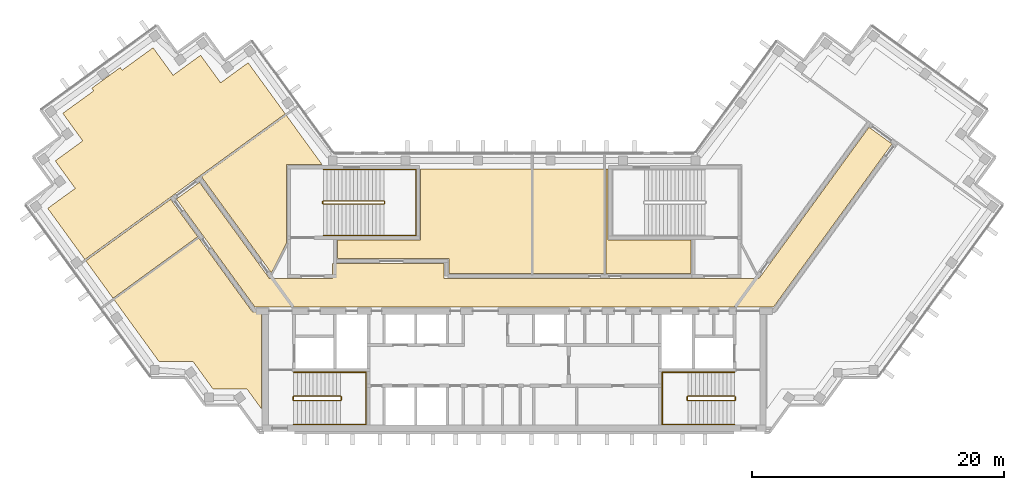
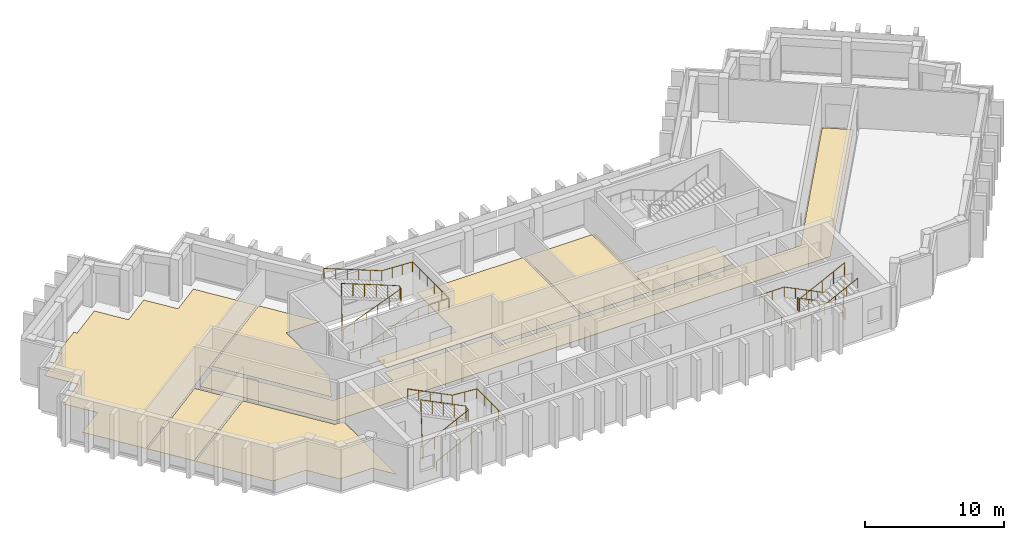
# One storey, part 7 of 8: 8 coverings, 6 railings.
"""IFC4 building model written with IfcOpenShell, lengths in metres."""

import ifcopenshell
import ifcopenshell.guid

model = None  # the IFC model being written
_history = None  # IfcOwnerHistory: only IFC2X3 demands one
_inside = {}  # id of a spatial element -> (the spatial element, [elements in it])
_under = {}  # id of a project, library or spatial element -> (it, [spatial elements below it])
_declared = {}  # id of a project -> (the project, [libraries it declares])
_typed = {}  # id of a type object -> (the type object, [elements of that type])
_made_of = {}  # id of a material, layer set ... -> (it, [elements and type objects made of it])


def new_model(schema):
    """Start an empty IFC model of exactly this schema.

    Asked for "IFC4X3", IfcOpenShell would pick the latest addendum, in which some entities
    have other attributes; the version numbers below select the first issue.
    IFC2X3 requires an IfcOwnerHistory on every rooted entity: one is made here for all.
    """
    global model, _history
    if schema == "IFC4X3":
        model = ifcopenshell.file(schema_version=(4, 3, 0, 0))
    else:
        model = ifcopenshell.file(schema=schema)
    _inside.clear()
    _under.clear()
    _declared.clear()
    _typed.clear()
    _made_of.clear()
    _history = None
    if model.schema == "IFC2X3":
        org = make("IfcOrganization", Name="unknown")
        user = make(
            "IfcPersonAndOrganization",
            ThePerson=make("IfcPerson", FamilyName="unknown"),
            TheOrganization=org,
        )
        app = make(
            "IfcApplication",
            ApplicationDeveloper=org,
            Version="unknown",
            ApplicationFullName="unknown",
            ApplicationIdentifier="unknown",
        )
        _history = make(
            "IfcOwnerHistory",
            OwningUser=user,
            OwningApplication=app,
            ChangeAction="ADDED",
            CreationDate=0,
        )
    return model


def make(cls, **values):
    """One entity of the class cls with the attributes given. An attribute that is None is left unset."""
    return model.create_entity(
        cls, **{name: value for name, value in values.items() if value is not None}
    )


def rooted(cls, **values):
    """An entity with a GlobalId (a new one), such as an element, a storey or a relation."""
    return make(cls, GlobalId=ifcopenshell.guid.new(), OwnerHistory=_history, **values)


def si_unit(unit_type, name, prefix=None):
    """IfcSIUnit, for example si_unit("LENGTHUNIT", "METRE", prefix="MILLI")."""
    return make("IfcSIUnit", UnitType=unit_type, Prefix=prefix, Name=name)


def assignment(units):
    """IfcUnitAssignment: the units of a project."""
    return None if units is None else make("IfcUnitAssignment", Units=units)


def point(xyz):
    """IfcCartesianPoint."""
    return None if xyz is None else make("IfcCartesianPoint", Coordinates=xyz)


def direction(xyz):
    """IfcDirection."""
    return None if xyz is None else make("IfcDirection", DirectionRatios=xyz)


def frame(location, z_axis=None, x_axis=None):
    """IfcAxis2Placement3D, a coordinate frame: its origin and axes. An axis left out is left unset."""
    return make(
        "IfcAxis2Placement3D",
        Location=point(location),
        Axis=direction(z_axis),
        RefDirection=direction(x_axis),
    )


def frame_2d(location, x_axis=None):
    """IfcAxis2Placement2D, a coordinate frame in the plane: its origin and x axis."""
    return make(
        "IfcAxis2Placement2D", Location=point(location), RefDirection=direction(x_axis)
    )


def origin():
    """The frame at (0, 0, 0) with its axes left unset."""
    return frame((0.0, 0.0, 0.0))


def origin_2d():
    """The frame at (0, 0) in the plane with its x axis left unset."""
    return frame_2d((0.0, 0.0))


def place(relative_to, where):
    """IfcLocalPlacement: puts the frame where relative to a parent placement (None: the world)."""
    return make(
        "IfcLocalPlacement", PlacementRelTo=relative_to, RelativePlacement=where
    )


def context(
    kind, dimensions, precision=None, world=None, true_north=None, identifier=None
):
    """IfcGeometricRepresentationContext, for example the 3D "Model" context."""
    return make(
        "IfcGeometricRepresentationContext",
        ContextIdentifier=identifier,
        ContextType=kind,
        CoordinateSpaceDimension=dimensions,
        Precision=precision,
        WorldCoordinateSystem=world,
        TrueNorth=true_north,
    )


def subcontext(parent, identifier, kind, view, scale=None):
    """IfcGeometricRepresentationSubContext, for example "Body" below "Model"."""
    return make(
        "IfcGeometricRepresentationSubContext",
        ContextIdentifier=identifier,
        ContextType=kind,
        ParentContext=parent,
        TargetScale=scale,
        TargetView=view,
    )


def project(units=None, contexts=None):
    """IfcProject with its units and contexts."""
    return rooted(
        "IfcProject",
        Name="project",
        RepresentationContexts=contexts,
        UnitsInContext=assignment(units),
    )


def spatial(cls, under=None, at=None, **own):
    """A site, building, storey or space (cls), placed at a placement, below another one or the project."""
    s = rooted(cls, ObjectPlacement=at, **own)
    if under is not None:
        _under.setdefault(under.id(), (under, []))[1].append(s)
    return s


def polyline(points):
    """IfcPolyline through the points."""
    return make("IfcPolyline", Points=[point(p) for p in points])


def profile(cls, at=None, kind="AREA", **sizes):
    """A parametric profile (cls). Its sizes go by their IFC names, for example OverallWidth=200.0."""
    return make(cls, ProfileType=kind, Position=at, **sizes)


def circle(**sizes):
    """IfcCircleProfileDef."""
    return profile("IfcCircleProfileDef", **sizes)


def outline(outer, holes=None, kind="AREA"):
    """IfcArbitraryClosedProfileDef: a profile drawn as a closed curve; with holes, ...WithVoids."""
    if holes is None:
        return make("IfcArbitraryClosedProfileDef", ProfileType=kind, OuterCurve=outer)
    return make(
        "IfcArbitraryProfileDefWithVoids",
        ProfileType=kind,
        OuterCurve=outer,
        InnerCurves=holes,
    )


def extrude(swept, where, along, depth):
    """IfcExtrudedAreaSolid: the profile swept, set in the frame where, extruded along a direction by depth."""
    return make(
        "IfcExtrudedAreaSolid",
        SweptArea=swept,
        Position=where,
        ExtrudedDirection=direction(along),
        Depth=depth,
    )


def shape(context_of_items, identifier, shape_type, items):
    """IfcShapeRepresentation: the items that make up one representation, for example the "Body"."""
    return make(
        "IfcShapeRepresentation",
        ContextOfItems=context_of_items,
        RepresentationIdentifier=identifier,
        RepresentationType=shape_type,
        Items=items,
    )


def material(Name=None, Category=None):
    """IfcMaterial."""
    return make("IfcMaterial", Name=Name, Category=Category)


def layer(
    of_material, thickness, ventilated=None, Name=None, Category=None, Priority=None
):
    """IfcMaterialLayer: one layer of a wall or slab, of a material (None: an air gap)."""
    return make(
        "IfcMaterialLayer",
        Material=of_material,
        LayerThickness=thickness,
        IsVentilated=ventilated,
        Name=Name,
        Category=Category,
        Priority=Priority,
    )


def layer_set(layers, Name=None):
    """IfcMaterialLayerSet."""
    return make("IfcMaterialLayerSet", MaterialLayers=layers, LayerSetName=Name)


def made_of(thing, what):
    """Note that an element or type object is made of a material, layer set ...; save() writes the relation."""
    if what is not None:
        _made_of.setdefault(what.id(), (what, []))[1].append(thing)
    return thing


def type_object(cls, material=None, **own):
    """A type object (cls), such as IfcWallType, which elements share."""
    return made_of(rooted(cls, **own), material)


def element(
    cls,
    number,
    at=None,
    inside=None,
    cuts=None,
    type_object=None,
    material=None,
    context=None,
    identifier="Body",
    shape_type=None,
    held_by="IfcProductDefinitionShape",
    body=None,
    shapes=None,
    **own,
):
    """One element of the class cls, such as IfcWall. Its Tag is "e" and its number.

    at: its placement. inside: the storey or other place that contains it. cuts: it is an
    opening in that element (IfcRelVoidsElement). A single representation is given by context,
    identifier, shape_type and body (its items); several are given by shapes. held_by: the class
    of the entity that holds the representations. save() writes the other relations.
    """
    e = rooted(cls, Tag="e%d" % number, ObjectPlacement=at, **own)
    if body is not None:
        shapes = [shape(context, identifier, shape_type, body)]
    if shapes is not None:
        e.Representation = make(held_by, Representations=shapes)
    if inside is not None:
        _inside.setdefault(inside.id(), (inside, []))[1].append(e)
    if cuts is not None:
        rooted(
            "IfcRelVoidsElement", RelatingBuildingElement=cuts, RelatedOpeningElement=e
        )
    if type_object is not None:
        _typed.setdefault(type_object.id(), (type_object, []))[1].append(e)
    return made_of(e, material)


def aggregate(whole, parts):
    """IfcRelAggregates: a whole, such as a stair, and the parts it consists of."""
    return rooted("IfcRelAggregates", RelatingObject=whole, RelatedObjects=parts)


def save(model, path):
    """Write the relations noted so far, then the file.

    IfcRelAggregates (storeys below a building ...), IfcRelContainedInSpatialStructure (elements
    in a storey), IfcRelDefinesByType, IfcRelAssociatesMaterial and IfcRelDeclares: one each for
    every whole, place, type object, material and project.
    """
    for whole, parts in _under.values():
        aggregate(whole, parts)
    for where, things in _inside.values():
        rooted(
            "IfcRelContainedInSpatialStructure",
            RelatedElements=things,
            RelatingStructure=where,
        )
    for kind, things in _typed.values():
        rooted("IfcRelDefinesByType", RelatedObjects=things, RelatingType=kind)
    for what, things in _made_of.values():
        rooted("IfcRelAssociatesMaterial", RelatedObjects=things, RelatingMaterial=what)
    for by, libraries in _declared.values():
        rooted("IfcRelDeclares", RelatingContext=by, RelatedDefinitions=libraries)
    model.write(path)


model = new_model("IFC4")

# Units and contexts
model_context = context("Model", 3, precision=1e-05, world=origin(), true_north=direction((0.0, 1.0)))
body_context = subcontext(model_context, "Body", "Model", "MODEL_VIEW")
ifc_project = project(units=[si_unit("LENGTHUNIT", "METRE"), si_unit("AREAUNIT", "SQUARE_METRE"), si_unit("VOLUMEUNIT", "CUBIC_METRE"), si_unit("PLANEANGLEUNIT", "RADIAN"), si_unit("MASSUNIT", "GRAM", prefix="KILO")], contexts=[model_context])

# Site, building, storey
site_placement = place(None, origin())
site = spatial("IfcSite", under=ifc_project, at=site_placement, CompositionType="ELEMENT")
building_placement = place(site_placement, origin())
building = spatial("IfcBuilding", under=site, at=building_placement, Name="Quipu Civic Tower", CompositionType="ELEMENT")
storey_placement = place(building_placement, frame((0.0, 0.0, 289.0)))
storey = spatial("IfcBuildingStorey", under=building, at=storey_placement, Name="L67", CompositionType="ELEMENT", Elevation=289.0)

# Coverings
ifc_material_1 = material(Name="Carpet tile on raised access floor")
ifc_layer_1 = layer(ifc_material_1, 0.02001953125)
ifc_layer_set_1 = layer_set([ifc_layer_1], Name="Carpet tile on raised access floor")
covering_type_1 = type_object("IfcCoveringType", Name="Carpet tile floor finish 20", PredefinedType="FLOORING", material=ifc_layer_set_1)
covering_1_placement = place(storey_placement, origin())
element("IfcCovering", 1, at=covering_1_placement, inside=storey, type_object=covering_type_1, Name="Carpet tile floor finish 20", PredefinedType="FLOORING", context=body_context, shape_type="SweptSolid", body=[
    extrude(outline(polyline([(-24.81201171875, 9.2109375), (-18.089111328125, 14.093994140625), (-15.238037109375, 10.169921875), (-18.070068359375, 10.1689453125), (-18.070068359375, 3.94189453125), (-19.27197265625, 1.583984375), (-24.81201171875, 9.2109375)])), origin(), (0.0, 0.0, 1.0), 0.02001953125),
])
covering_2_placement = place(storey_placement, origin())
element("IfcCovering", 2, at=covering_2_placement, inside=storey, type_object=covering_type_1, Name="Carpet tile floor finish 20", PredefinedType="FLOORING", context=body_context, shape_type="SweptSolid", body=[
    extrude(outline(polyline([(-31.758056640625, -0.5390625), (-25.034912109375, 4.344970703125), (-20.77490234375, -1.51904296875), (-20.070068359375, -1.52001953125), (-20.070068359375, -9.195068359375), (-21.196044921875, -7.64599609375), (-23.89501953125, -7.64599609375), (-25.48193359375, -5.4619140625), (-28.181884765625, -5.4609375), (-31.758056640625, -0.5390625)])), origin(), (0.0, 0.0, 1.0), 0.02001953125),
])
covering_3_placement = place(storey_placement, origin())
element("IfcCovering", 3, at=covering_3_placement, inside=storey, type_object=covering_type_1, Name="Carpet tile floor finish 20", PredefinedType="FLOORING", context=body_context, shape_type="SweptSolid", body=[
    extrude(outline(polyline([(-14.030029296875, 2.719970703125), (-14.030029296875, 4.179931640625), (-7.430908203125, 4.180908203125), (-7.429931640625, 9.830078125), (1.368896484375, 9.830078125), (1.368896484375, 1.52001953125), (-5.179931640625, 1.52001953125), (-5.181884765625, 2.719970703125), (-14.030029296875, 2.719970703125)])), origin(), (0.0, 0.0, 1.0), 0.02001953125),
])
covering_4_placement = place(storey_placement, origin())
element("IfcCovering", 4, at=covering_4_placement, inside=storey, type_object=covering_type_1, Name="Carpet tile floor finish 20", PredefinedType="FLOORING", context=body_context, shape_type="SweptSolid", body=[
    extrude(outline(polyline([(-37.02197265625, 6.7060546875), (-34.839111328125, 8.291015625), (-36.425048828125, 10.47607421875), (-34.240966796875, 12.06396484375), (-35.826904296875, 14.248046875), (-33.3701171875, 16.032958984375), (-33.52197265625, 16.2451171875), (-31.27099609375, 17.8798828125), (-31.116943359375, 17.6708984375), (-28.658935546875, 19.455078125), (-27.073974609375, 17.27197265625), (-24.887939453125, 18.85791015625), (-23.301025390625, 16.675048828125), (-21.116943359375, 18.260986328125), (-18.172119140625, 14.20703125), (-34.077880859375, 2.652099609375), (-37.02197265625, 6.7060546875)])), origin(), (0.0, 0.0, 1.0), 0.02001953125),
])
ifc_material_2 = material(Name="Ceramic floor tile")
ifc_layer_2 = layer(ifc_material_2, 0.030029296875)
ifc_layer_set_2 = layer_set([ifc_layer_2], Name="Ceramic floor tile")
covering_type_2 = type_object("IfcCoveringType", Name="Ceramic tile floor finish 30", PredefinedType="FLOORING", material=ifc_layer_set_2)
covering_5_placement = place(storey_placement, origin())
element("IfcCovering", 5, at=covering_5_placement, inside=storey, type_object=covering_type_2, Name="Ceramic tile floor finish 30", PredefinedType="FLOORING", context=body_context, shape_type="SweptSolid", body=[
    extrude(outline(polyline([(1.510009765625, 9.830078125), (7.1279296875, 9.830078125), (7.1279296875, 1.52001953125), (1.510009765625, 1.52001953125), (1.510009765625, 9.830078125)])), origin(), (0.0, 0.0, 1.0), 0.030029296875),
])
covering_6_placement = place(storey_placement, origin())
element("IfcCovering", 6, at=covering_6_placement, inside=storey, type_object=covering_type_2, Name="Ceramic tile floor finish 30", PredefinedType="FLOORING", context=body_context, shape_type="SweptSolid", body=[
    extrude(outline(polyline([(7.26806640625, 1.52001953125), (7.26806640625, 9.830078125), (7.429931640625, 9.830078125), (7.429931640625, 4.180908203125), (14.030029296875, 4.179931640625), (14.030029296875, 1.52001953125), (7.26806640625, 1.52001953125)])), origin(), (0.0, 0.0, 1.0), 0.030029296875),
])
covering_7_placement = place(storey_placement, origin())
element("IfcCovering", 7, at=covering_7_placement, inside=storey, type_object=covering_type_2, Name="Ceramic tile floor finish 30", PredefinedType="FLOORING", context=body_context, shape_type="SweptSolid", body=[
    extrude(outline(polyline([(-33.9951171875, 2.5390625), (-27.27197265625, 7.423095703125), (-25.117919921875, 4.4580078125), (-31.841064453125, -0.426025390625), (-33.9951171875, 2.5390625)])), origin(), (0.0, 0.0, 1.0), 0.030029296875),
])

# Railings
ifc_material_3 = material(Name="Stainless steel", Category="steel")
railing_type_1 = type_object("IfcRailingType", Name="Stair guard 1100", PredefinedType="GUARDRAIL", material=ifc_material_3)
railing_1_placement = place(storey_placement, frame((-17.5, -8.550048828125, 0.15380859375)))
element("IfcRailing", 8, at=railing_1_placement, inside=storey, type_object=railing_type_1, Name="Stair 1 guard", PredefinedType="GUARDRAIL", context=body_context, shape_type="SweptSolid", body=[
    extrude(circle(Radius=0.02392578125, at=origin_2d()), frame((0.0, 0.0, 1.076171875), z_axis=(0.895751851347, 0.0, 0.444554407028), x_axis=(0.0, 1.0, 0.0)), (0.0, 0.0, 1.0), 4.15283203125),
    extrude(circle(Radius=0.02392578125, at=origin_2d()), frame((3.719970703125, 0.0, 2.92236328125), z_axis=(0.707106781187, 0.707106781187, 0.0), x_axis=(-0.707106781187, 0.707106781187, 0.0)), (0.0, 0.0, 1.0), 0.07080078125),
    extrude(circle(Radius=0.02392578125, at=origin_2d()), frame((3.77001953125, 0.050048828125, 2.92236328125), z_axis=(0.0, 1.0, 0.0), x_axis=(-1.0, 0.0, 0.0)), (0.0, 0.0, 1.0), 0.25),
    extrude(circle(Radius=0.02392578125, at=origin_2d()), frame((3.77001953125, 0.300048828125, 2.92236328125), z_axis=(-0.295599637079, 0.295599637079, 0.908428152975), x_axis=(-0.707106781187, -0.707106781187, 0.0)), (0.0, 0.0, 1.0), 0.16943359375),
    extrude(circle(Radius=0.02392578125, at=origin_2d()), frame((3.719970703125, 0.35009765625, 3.076171875), z_axis=(-0.895751851347, 0.0, 0.444554407028), x_axis=(0.0, -1.0, 0.0)), (0.0, 0.0, 1.0), 4.15283203125),
    extrude(circle(Radius=0.02392578125, at=origin_2d()), frame((0.0, 0.35009765625, 4.92236328125), z_axis=(-0.012476181752, -0.074796231092, -0.997120789425), x_axis=(0.986372223864, -0.164529134168, 0.0)), (0.0, 0.0, 1.0), 4.011474609375),
    extrude(circle(Radius=0.02392578125, at=origin_2d()), frame((-0.050048828125, 0.050048828125, 0.92236328125), z_axis=(0.0, 1.0, 0.0), x_axis=(-1.0, 0.0, 0.0)), (0.0, 0.0, 1.0), 0.25),
    extrude(circle(Radius=0.02099609375, at=origin_2d()), origin(), (0.0, 0.0, 1.0), 1.052001953125),
    extrude(circle(Radius=0.02099609375, at=origin_2d()), frame((0.929931640625, 0.0, 0.46142578125)), (0.0, 0.0, 1.0), 1.052001953125),
    extrude(circle(Radius=0.02099609375, at=origin_2d()), frame((1.85986328125, 0.0, 0.923095703125)), (0.0, 0.0, 1.0), 1.052001953125),
    extrude(circle(Radius=0.02099609375, at=origin_2d()), frame((2.7900390625, 0.0, 1.384765625)), (0.0, 0.0, 1.0), 1.052001953125),
    extrude(circle(Radius=0.02099609375, at=origin_2d()), frame((3.719970703125, 0.0, 1.84619140625)), (0.0, 0.0, 1.0), 1.052001953125),
    extrude(circle(Radius=0.02099609375, at=origin_2d()), frame((3.77001953125, 0.050048828125, 1.84619140625)), (0.0, 0.0, 1.0), 1.052001953125),
    extrude(circle(Radius=0.02099609375, at=origin_2d()), frame((3.77001953125, 0.300048828125, 1.84619140625)), (0.0, 0.0, 1.0), 1.052001953125),
    extrude(circle(Radius=0.02099609375, at=origin_2d()), frame((3.719970703125, 0.35009765625, 2.0)), (0.0, 0.0, 1.0), 1.052001953125),
    extrude(circle(Radius=0.02099609375, at=origin_2d()), frame((2.7900390625, 0.35009765625, 2.46142578125)), (0.0, 0.0, 1.0), 1.052001953125),
    extrude(circle(Radius=0.02099609375, at=origin_2d()), frame((1.85986328125, 0.35009765625, 2.923095703125)), (0.0, 0.0, 1.0), 1.052001953125),
    extrude(circle(Radius=0.02099609375, at=origin_2d()), frame((0.929931640625, 0.35009765625, 3.384765625)), (0.0, 0.0, 1.0), 1.052001953125),
    extrude(circle(Radius=0.02099609375, at=origin_2d()), frame((0.0, 0.35009765625, 3.84619140625)), (0.0, 0.0, 1.0), 1.052001953125),
    extrude(circle(Radius=0.02099609375, at=origin_2d()), frame((-0.012451171875, 0.275146484375, 2.84619140625)), (0.0, 0.0, 1.0), 1.052001953125),
    extrude(circle(Radius=0.02099609375, at=origin_2d()), frame((-0.02490234375, 0.2001953125, 1.84619140625)), (0.0, 0.0, 1.0), 1.052001953125),
    extrude(circle(Radius=0.02099609375, at=origin_2d()), frame((-0.03759765625, 0.125, 0.84619140625)), (0.0, 0.0, 1.0), 1.052001953125),
    extrude(circle(Radius=0.02099609375, at=origin_2d()), frame((-0.050048828125, 0.050048828125, -0.15380859375)), (0.0, 0.0, 1.0), 1.052001953125),
    extrude(circle(Radius=0.02099609375, at=origin_2d()), frame((-0.050048828125, 0.300048828125, -0.15380859375)), (0.0, 0.0, 1.0), 1.052001953125),
])
railing_2_placement = place(storey_placement, frame((17.5, -8.199951171875, 0.15380859375)))
element("IfcRailing", 9, at=railing_2_placement, inside=storey, type_object=railing_type_1, Name="Stair 2 guard", PredefinedType="GUARDRAIL", context=body_context, shape_type="SweptSolid", body=[
    extrude(circle(Radius=0.02392578125, at=origin_2d()), frame((0.0, 0.0, 1.076171875), z_axis=(-0.895751851347, 0.0, 0.444554407028), x_axis=(0.0, -1.0, 0.0)), (0.0, 0.0, 1.0), 4.15283203125),
    extrude(circle(Radius=0.02392578125, at=origin_2d()), frame((-3.719970703125, 0.0, 2.92236328125), z_axis=(-0.707106781187, -0.707106781187, 0.0), x_axis=(0.707106781187, -0.707106781187, 0.0)), (0.0, 0.0, 1.0), 0.07080078125),
    extrude(circle(Radius=0.02392578125, at=origin_2d()), frame((-3.77001953125, -0.050048828125, 2.92236328125), z_axis=(0.0, -1.0, 0.0), x_axis=(1.0, 0.0, 0.0)), (0.0, 0.0, 1.0), 0.25),
    extrude(circle(Radius=0.02392578125, at=origin_2d()), frame((-3.77001953125, -0.300048828125, 2.92236328125), z_axis=(0.295599637079, -0.295599637079, 0.908428152975), x_axis=(0.707106781187, 0.707106781187, 0.0)), (0.0, 0.0, 1.0), 0.16943359375),
    extrude(circle(Radius=0.02392578125, at=origin_2d()), frame((-3.719970703125, -0.35009765625, 3.076171875), z_axis=(0.895751851347, 0.0, 0.444554407028), x_axis=(0.0, 1.0, 0.0)), (0.0, 0.0, 1.0), 4.15283203125),
    extrude(circle(Radius=0.02392578125, at=origin_2d()), frame((0.0, -0.35009765625, 4.92236328125), z_axis=(0.012476181752, 0.074796231092, -0.997120789425), x_axis=(-0.986372223864, 0.164529134168, 0.0)), (0.0, 0.0, 1.0), 4.011474609375),
    extrude(circle(Radius=0.02392578125, at=origin_2d()), frame((0.050048828125, -0.050048828125, 0.92236328125), z_axis=(0.0, -1.0, 0.0), x_axis=(1.0, 0.0, 0.0)), (0.0, 0.0, 1.0), 0.25),
    extrude(circle(Radius=0.02099609375, at=origin_2d()), origin(), (0.0, 0.0, 1.0), 1.052001953125),
    extrude(circle(Radius=0.02099609375, at=origin_2d()), frame((-0.929931640625, 0.0, 0.46142578125)), (0.0, 0.0, 1.0), 1.052001953125),
    extrude(circle(Radius=0.02099609375, at=origin_2d()), frame((-1.85986328125, 0.0, 0.923095703125)), (0.0, 0.0, 1.0), 1.052001953125),
    extrude(circle(Radius=0.02099609375, at=origin_2d()), frame((-2.7900390625, 0.0, 1.384765625)), (0.0, 0.0, 1.0), 1.052001953125),
    extrude(circle(Radius=0.02099609375, at=origin_2d()), frame((-3.719970703125, 0.0, 1.84619140625)), (0.0, 0.0, 1.0), 1.052001953125),
    extrude(circle(Radius=0.02099609375, at=origin_2d()), frame((-3.77001953125, -0.050048828125, 1.84619140625)), (0.0, 0.0, 1.0), 1.052001953125),
    extrude(circle(Radius=0.02099609375, at=origin_2d()), frame((-3.77001953125, -0.300048828125, 1.84619140625)), (0.0, 0.0, 1.0), 1.052001953125),
    extrude(circle(Radius=0.02099609375, at=origin_2d()), frame((-3.719970703125, -0.35009765625, 2.0)), (0.0, 0.0, 1.0), 1.052001953125),
    extrude(circle(Radius=0.02099609375, at=origin_2d()), frame((-2.7900390625, -0.35009765625, 2.46142578125)), (0.0, 0.0, 1.0), 1.052001953125),
    extrude(circle(Radius=0.02099609375, at=origin_2d()), frame((-1.85986328125, -0.35009765625, 2.923095703125)), (0.0, 0.0, 1.0), 1.052001953125),
    extrude(circle(Radius=0.02099609375, at=origin_2d()), frame((-0.929931640625, -0.35009765625, 3.384765625)), (0.0, 0.0, 1.0), 1.052001953125),
    extrude(circle(Radius=0.02099609375, at=origin_2d()), frame((0.0, -0.35009765625, 3.84619140625)), (0.0, 0.0, 1.0), 1.052001953125),
    extrude(circle(Radius=0.02099609375, at=origin_2d()), frame((0.012451171875, -0.275146484375, 2.84619140625)), (0.0, 0.0, 1.0), 1.052001953125),
    extrude(circle(Radius=0.02099609375, at=origin_2d()), frame((0.02490234375, -0.2001953125, 1.84619140625)), (0.0, 0.0, 1.0), 1.052001953125),
    extrude(circle(Radius=0.02099609375, at=origin_2d()), frame((0.03759765625, -0.125, 0.84619140625)), (0.0, 0.0, 1.0), 1.052001953125),
    extrude(circle(Radius=0.02099609375, at=origin_2d()), frame((0.050048828125, -0.050048828125, -0.15380859375)), (0.0, 0.0, 1.0), 1.052001953125),
    extrude(circle(Radius=0.02099609375, at=origin_2d()), frame((0.050048828125, -0.300048828125, -0.15380859375)), (0.0, 0.0, 1.0), 1.052001953125),
])
railing_3_placement = place(storey_placement, frame((-15.14990234375, 7.050048828125, 0.11767578125)))
element("IfcRailing", 10, at=railing_3_placement, inside=storey, type_object=railing_type_1, Name="Stair 3 guard", PredefinedType="GUARDRAIL", context=body_context, shape_type="SweptSolid", body=[
    extrude(circle(Radius=0.02392578125, at=origin_2d()), frame((0.0, 0.0, 1.076171875), z_axis=(0.930970042603, 0.0, 0.365095576219), x_axis=(0.0, 1.0, 0.0)), (0.0, 0.0, 1.0), 5.15576171875),
    extrude(circle(Radius=0.02392578125, at=origin_2d()), frame((4.7998046875, 0.0, 2.95849609375), z_axis=(0.707106781187, 0.707106781187, 0.0), x_axis=(-0.707106781187, 0.707106781187, 0.0)), (0.0, 0.0, 1.0), 0.07080078125),
    extrude(circle(Radius=0.02392578125, at=origin_2d()), frame((4.849853515625, 0.050048828125, 2.95849609375), z_axis=(0.0, 1.0, 0.0), x_axis=(-1.0, 0.0, 0.0)), (0.0, 0.0, 1.0), 0.14990234375),
    extrude(circle(Radius=0.02392578125, at=origin_2d()), frame((4.849853515625, 0.199951171875, 2.95849609375), z_axis=(-0.364463019033, 0.364463019033, 0.856932561824), x_axis=(-0.707106781187, -0.707106781187, 0.0)), (0.0, 0.0, 1.0), 0.13720703125),
    extrude(circle(Radius=0.02392578125, at=origin_2d()), frame((4.7998046875, 0.25, 3.076171875), z_axis=(-0.930970042603, 0.0, 0.365095576219), x_axis=(0.0, -1.0, 0.0)), (0.0, 0.0, 1.0), 5.15576171875),
    extrude(circle(Radius=0.02392578125, at=origin_2d()), frame((0.0, 0.25, 4.95849609375), z_axis=(-0.012495627992, -0.049921557685, -0.998674970829), x_axis=(0.970072785993, -0.242814311512, 0.0)), (0.0, 0.0, 1.0), 4.00537109375),
    extrude(circle(Radius=0.02392578125, at=origin_2d()), frame((-0.050048828125, 0.050048828125, 0.95849609375), z_axis=(0.0, 1.0, 0.0), x_axis=(-1.0, 0.0, 0.0)), (0.0, 0.0, 1.0), 0.14990234375),
    extrude(circle(Radius=0.02099609375, at=origin_2d()), origin(), (0.0, 0.0, 1.0), 1.052001953125),
    extrude(circle(Radius=0.02099609375, at=origin_2d()), frame((0.9599609375, 0.0, 0.37646484375)), (0.0, 0.0, 1.0), 1.052001953125),
    extrude(circle(Radius=0.02099609375, at=origin_2d()), frame((1.919921875, 0.0, 0.7529296875)), (0.0, 0.0, 1.0), 1.052001953125),
    extrude(circle(Radius=0.02099609375, at=origin_2d()), frame((2.8798828125, 0.0, 1.12939453125)), (0.0, 0.0, 1.0), 1.052001953125),
    extrude(circle(Radius=0.02099609375, at=origin_2d()), frame((3.83984375, 0.0, 1.505859375)), (0.0, 0.0, 1.0), 1.052001953125),
    extrude(circle(Radius=0.02099609375, at=origin_2d()), frame((4.7998046875, 0.0, 1.88232421875)), (0.0, 0.0, 1.0), 1.052001953125),
    extrude(circle(Radius=0.02099609375, at=origin_2d()), frame((4.849853515625, 0.050048828125, 1.88232421875)), (0.0, 0.0, 1.0), 1.052001953125),
    extrude(circle(Radius=0.02099609375, at=origin_2d()), frame((4.849853515625, 0.199951171875, 1.88232421875)), (0.0, 0.0, 1.0), 1.052001953125),
    extrude(circle(Radius=0.02099609375, at=origin_2d()), frame((4.7998046875, 0.25, 2.0)), (0.0, 0.0, 1.0), 1.052001953125),
    extrude(circle(Radius=0.02099609375, at=origin_2d()), frame((3.83984375, 0.25, 2.37646484375)), (0.0, 0.0, 1.0), 1.052001953125),
    extrude(circle(Radius=0.02099609375, at=origin_2d()), frame((2.8798828125, 0.25, 2.7529296875)), (0.0, 0.0, 1.0), 1.052001953125),
    extrude(circle(Radius=0.02099609375, at=origin_2d()), frame((1.919921875, 0.25, 3.12939453125)), (0.0, 0.0, 1.0), 1.052001953125),
    extrude(circle(Radius=0.02099609375, at=origin_2d()), frame((0.9599609375, 0.25, 3.505859375)), (0.0, 0.0, 1.0), 1.052001953125),
    extrude(circle(Radius=0.02099609375, at=origin_2d()), frame((0.0, 0.25, 3.88232421875)), (0.0, 0.0, 1.0), 1.052001953125),
    extrude(circle(Radius=0.02099609375, at=origin_2d()), frame((-0.012451171875, 0.199951171875, 2.88232421875)), (0.0, 0.0, 1.0), 1.052001953125),
    extrude(circle(Radius=0.02099609375, at=origin_2d()), frame((-0.02490234375, 0.14990234375, 1.88232421875)), (0.0, 0.0, 1.0), 1.052001953125),
    extrude(circle(Radius=0.02099609375, at=origin_2d()), frame((-0.03759765625, 0.10009765625, 0.88232421875)), (0.0, 0.0, 1.0), 1.052001953125),
    extrude(circle(Radius=0.02099609375, at=origin_2d()), frame((-0.050048828125, 0.050048828125, -0.11767578125)), (0.0, 0.0, 1.0), 1.052001953125),
    extrude(circle(Radius=0.02099609375, at=origin_2d()), frame((-0.050048828125, 0.199951171875, -0.11767578125)), (0.0, 0.0, 1.0), 1.052001953125),
])
ifc_material_4 = material(Name="Stainless steel", Category="steel")
railing_type_2 = type_object("IfcRailingType", Name="Stair handrail", PredefinedType="HANDRAIL", material=ifc_material_4)
railing_4_placement = place(storey_placement, frame((-17.5, -10.449951171875, 0.15380859375)))
element("IfcRailing", 11, at=railing_4_placement, inside=storey, type_object=railing_type_2, Name="Stair 1 handrail", PredefinedType="HANDRAIL", context=body_context, shape_type="SweptSolid", body=[
    extrude(circle(Radius=0.02392578125, at=origin_2d()), frame((0.0, 0.0, 0.8759765625), z_axis=(0.895751851347, 0.0, 0.444554407028), x_axis=(0.0, 1.0, 0.0)), (0.0, 0.0, 1.0), 4.15283203125),
    extrude(circle(Radius=0.02392578125, at=origin_2d()), frame((3.719970703125, 0.0, 2.72216796875), z_axis=(1.0, 0.0, 0.0), x_axis=(0.0, 1.0, 0.0)), (0.0, 0.0, 1.0), 2.030029296875),
    extrude(circle(Radius=0.02392578125, at=origin_2d()), frame((5.75, 0.0, 2.72216796875), z_axis=(0.0, 1.0, 0.0), x_axis=(-1.0, 0.0, 0.0)), (0.0, 0.0, 1.0), 4.14990234375),
    extrude(circle(Radius=0.02392578125, at=origin_2d()), frame((5.75, 4.14990234375, 2.72216796875), z_axis=(-0.997142003663, 0.0, 0.075550145798), x_axis=(0.0, -1.0, 0.0)), (0.0, 0.0, 1.0), 2.035888671875),
    extrude(circle(Radius=0.02392578125, at=origin_2d()), frame((3.719970703125, 4.14990234375, 2.8759765625), z_axis=(-0.895751851347, 0.0, 0.444554407028), x_axis=(0.0, -1.0, 0.0)), (0.0, 0.0, 1.0), 4.15283203125),
    extrude(circle(Radius=0.02099609375, at=origin_2d()), origin(), (0.0, 0.0, 1.0), 0.851806640625),
    extrude(circle(Radius=0.02099609375, at=origin_2d()), frame((0.929931640625, 0.0, 0.46142578125)), (0.0, 0.0, 1.0), 0.851806640625),
    extrude(circle(Radius=0.02099609375, at=origin_2d()), frame((1.85986328125, 0.0, 0.923095703125)), (0.0, 0.0, 1.0), 0.851806640625),
    extrude(circle(Radius=0.02099609375, at=origin_2d()), frame((2.7900390625, 0.0, 1.384765625)), (0.0, 0.0, 1.0), 0.851806640625),
    extrude(circle(Radius=0.02099609375, at=origin_2d()), frame((3.719970703125, 0.0, 1.84619140625)), (0.0, 0.0, 1.0), 0.851806640625),
    extrude(circle(Radius=0.02099609375, at=origin_2d()), frame((4.73486328125, 0.0, 1.84619140625)), (0.0, 0.0, 1.0), 0.851806640625),
    extrude(circle(Radius=0.02099609375, at=origin_2d()), frame((5.75, 0.0, 1.84619140625)), (0.0, 0.0, 1.0), 0.851806640625),
    extrude(circle(Radius=0.02099609375, at=origin_2d()), frame((5.75, 1.03759765625, 1.84619140625)), (0.0, 0.0, 1.0), 0.851806640625),
    extrude(circle(Radius=0.02099609375, at=origin_2d()), frame((5.75, 2.074951171875, 1.84619140625)), (0.0, 0.0, 1.0), 0.851806640625),
    extrude(circle(Radius=0.02099609375, at=origin_2d()), frame((5.75, 3.1123046875, 1.84619140625)), (0.0, 0.0, 1.0), 0.851806640625),
    extrude(circle(Radius=0.02099609375, at=origin_2d()), frame((5.75, 4.14990234375, 1.84619140625)), (0.0, 0.0, 1.0), 0.851806640625),
    extrude(circle(Radius=0.02099609375, at=origin_2d()), frame((4.73486328125, 4.14990234375, 1.923095703125)), (0.0, 0.0, 1.0), 0.851806640625),
    extrude(circle(Radius=0.02099609375, at=origin_2d()), frame((3.719970703125, 4.14990234375, 2.0)), (0.0, 0.0, 1.0), 0.851806640625),
    extrude(circle(Radius=0.02099609375, at=origin_2d()), frame((2.7900390625, 4.14990234375, 2.46142578125)), (0.0, 0.0, 1.0), 0.851806640625),
    extrude(circle(Radius=0.02099609375, at=origin_2d()), frame((1.85986328125, 4.14990234375, 2.923095703125)), (0.0, 0.0, 1.0), 0.851806640625),
    extrude(circle(Radius=0.02099609375, at=origin_2d()), frame((0.929931640625, 4.14990234375, 3.384765625)), (0.0, 0.0, 1.0), 0.851806640625),
    extrude(circle(Radius=0.02099609375, at=origin_2d()), frame((0.0, 4.14990234375, 3.84619140625)), (0.0, 0.0, 1.0), 0.851806640625),
])
railing_5_placement = place(storey_placement, frame((17.5, -6.300048828125, 0.15380859375)))
element("IfcRailing", 12, at=railing_5_placement, inside=storey, type_object=railing_type_2, Name="Stair 2 handrail", PredefinedType="HANDRAIL", context=body_context, shape_type="SweptSolid", body=[
    extrude(circle(Radius=0.02392578125, at=origin_2d()), frame((0.0, 0.0, 0.8759765625), z_axis=(-0.895751851347, 0.0, 0.444554407028), x_axis=(0.0, -1.0, 0.0)), (0.0, 0.0, 1.0), 4.15283203125),
    extrude(circle(Radius=0.02392578125, at=origin_2d()), frame((-3.719970703125, 0.0, 2.72216796875), z_axis=(-1.0, 0.0, 0.0), x_axis=(0.0, -1.0, 0.0)), (0.0, 0.0, 1.0), 2.030029296875),
    extrude(circle(Radius=0.02392578125, at=origin_2d()), frame((-5.75, 0.0, 2.72216796875), z_axis=(0.0, -1.0, 0.0), x_axis=(1.0, 0.0, 0.0)), (0.0, 0.0, 1.0), 4.14990234375),
    extrude(circle(Radius=0.02392578125, at=origin_2d()), frame((-5.75, -4.14990234375, 2.72216796875), z_axis=(0.997142003663, 0.0, 0.075550145798), x_axis=(0.0, 1.0, 0.0)), (0.0, 0.0, 1.0), 2.035888671875),
    extrude(circle(Radius=0.02392578125, at=origin_2d()), frame((-3.719970703125, -4.14990234375, 2.8759765625), z_axis=(0.895751851347, 0.0, 0.444554407028), x_axis=(0.0, 1.0, 0.0)), (0.0, 0.0, 1.0), 4.15283203125),
    extrude(circle(Radius=0.02099609375, at=origin_2d()), origin(), (0.0, 0.0, 1.0), 0.851806640625),
    extrude(circle(Radius=0.02099609375, at=origin_2d()), frame((-0.929931640625, 0.0, 0.46142578125)), (0.0, 0.0, 1.0), 0.851806640625),
    extrude(circle(Radius=0.02099609375, at=origin_2d()), frame((-1.85986328125, 0.0, 0.923095703125)), (0.0, 0.0, 1.0), 0.851806640625),
    extrude(circle(Radius=0.02099609375, at=origin_2d()), frame((-2.7900390625, 0.0, 1.384765625)), (0.0, 0.0, 1.0), 0.851806640625),
    extrude(circle(Radius=0.02099609375, at=origin_2d()), frame((-3.719970703125, 0.0, 1.84619140625)), (0.0, 0.0, 1.0), 0.851806640625),
    extrude(circle(Radius=0.02099609375, at=origin_2d()), frame((-4.73486328125, 0.0, 1.84619140625)), (0.0, 0.0, 1.0), 0.851806640625),
    extrude(circle(Radius=0.02099609375, at=origin_2d()), frame((-5.75, 0.0, 1.84619140625)), (0.0, 0.0, 1.0), 0.851806640625),
    extrude(circle(Radius=0.02099609375, at=origin_2d()), frame((-5.75, -1.03759765625, 1.84619140625)), (0.0, 0.0, 1.0), 0.851806640625),
    extrude(circle(Radius=0.02099609375, at=origin_2d()), frame((-5.75, -2.074951171875, 1.84619140625)), (0.0, 0.0, 1.0), 0.851806640625),
    extrude(circle(Radius=0.02099609375, at=origin_2d()), frame((-5.75, -3.1123046875, 1.84619140625)), (0.0, 0.0, 1.0), 0.851806640625),
    extrude(circle(Radius=0.02099609375, at=origin_2d()), frame((-5.75, -4.14990234375, 1.84619140625)), (0.0, 0.0, 1.0), 0.851806640625),
    extrude(circle(Radius=0.02099609375, at=origin_2d()), frame((-4.73486328125, -4.14990234375, 1.923095703125)), (0.0, 0.0, 1.0), 0.851806640625),
    extrude(circle(Radius=0.02099609375, at=origin_2d()), frame((-3.719970703125, -4.14990234375, 2.0)), (0.0, 0.0, 1.0), 0.851806640625),
    extrude(circle(Radius=0.02099609375, at=origin_2d()), frame((-2.7900390625, -4.14990234375, 2.46142578125)), (0.0, 0.0, 1.0), 0.851806640625),
    extrude(circle(Radius=0.02099609375, at=origin_2d()), frame((-1.85986328125, -4.14990234375, 2.923095703125)), (0.0, 0.0, 1.0), 0.851806640625),
    extrude(circle(Radius=0.02099609375, at=origin_2d()), frame((-0.929931640625, -4.14990234375, 3.384765625)), (0.0, 0.0, 1.0), 0.851806640625),
    extrude(circle(Radius=0.02099609375, at=origin_2d()), frame((0.0, -4.14990234375, 3.84619140625)), (0.0, 0.0, 1.0), 0.851806640625),
])
railing_6_placement = place(storey_placement, frame((-15.14990234375, 4.550048828125, 0.11767578125)))
element("IfcRailing", 13, at=railing_6_placement, inside=storey, type_object=railing_type_2, Name="Stair 3 handrail", PredefinedType="HANDRAIL", context=body_context, shape_type="SweptSolid", body=[
    extrude(circle(Radius=0.02392578125, at=origin_2d()), frame((0.0, 0.0, 0.8759765625), z_axis=(0.930970042603, 0.0, 0.365095576219), x_axis=(0.0, 1.0, 0.0)), (0.0, 0.0, 1.0), 5.15576171875),
    extrude(circle(Radius=0.02392578125, at=origin_2d()), frame((4.7998046875, 0.0, 2.75830078125), z_axis=(1.0, 0.0, 0.0), x_axis=(0.0, 1.0, 0.0)), (0.0, 0.0, 1.0), 2.550048828125),
    extrude(circle(Radius=0.02392578125, at=origin_2d()), frame((7.349853515625, 0.0, 2.75830078125), z_axis=(0.0, 1.0, 0.0), x_axis=(-1.0, 0.0, 0.0)), (0.0, 0.0, 1.0), 5.25),
    extrude(circle(Radius=0.02392578125, at=origin_2d()), frame((7.349853515625, 5.25, 2.75830078125), z_axis=(-0.998936948642, 0.0, 0.04609742549), x_axis=(0.0, -1.0, 0.0)), (0.0, 0.0, 1.0), 2.552734375),
    extrude(circle(Radius=0.02392578125, at=origin_2d()), frame((4.7998046875, 5.25, 2.8759765625), z_axis=(-0.930970042603, 0.0, 0.365095576219), x_axis=(0.0, -1.0, 0.0)), (0.0, 0.0, 1.0), 5.15576171875),
    extrude(circle(Radius=0.02099609375, at=origin_2d()), origin(), (0.0, 0.0, 1.0), 0.851806640625),
    extrude(circle(Radius=0.02099609375, at=origin_2d()), frame((0.9599609375, 0.0, 0.37646484375)), (0.0, 0.0, 1.0), 0.851806640625),
    extrude(circle(Radius=0.02099609375, at=origin_2d()), frame((1.919921875, 0.0, 0.7529296875)), (0.0, 0.0, 1.0), 0.851806640625),
    extrude(circle(Radius=0.02099609375, at=origin_2d()), frame((2.8798828125, 0.0, 1.12939453125)), (0.0, 0.0, 1.0), 0.851806640625),
    extrude(circle(Radius=0.02099609375, at=origin_2d()), frame((3.83984375, 0.0, 1.505859375)), (0.0, 0.0, 1.0), 0.851806640625),
    extrude(circle(Radius=0.02099609375, at=origin_2d()), frame((4.7998046875, 0.0, 1.88232421875)), (0.0, 0.0, 1.0), 0.851806640625),
    extrude(circle(Radius=0.02099609375, at=origin_2d()), frame((5.64990234375, 0.0, 1.88232421875)), (0.0, 0.0, 1.0), 0.851806640625),
    extrude(circle(Radius=0.02099609375, at=origin_2d()), frame((6.499755859375, 0.0, 1.88232421875)), (0.0, 0.0, 1.0), 0.851806640625),
    extrude(circle(Radius=0.02099609375, at=origin_2d()), frame((7.349853515625, 0.0, 1.88232421875)), (0.0, 0.0, 1.0), 0.851806640625),
    extrude(circle(Radius=0.02099609375, at=origin_2d()), frame((7.349853515625, 1.050048828125, 1.88232421875)), (0.0, 0.0, 1.0), 0.851806640625),
    extrude(circle(Radius=0.02099609375, at=origin_2d()), frame((7.349853515625, 2.10009765625, 1.88232421875)), (0.0, 0.0, 1.0), 0.851806640625),
    extrude(circle(Radius=0.02099609375, at=origin_2d()), frame((7.349853515625, 3.14990234375, 1.88232421875)), (0.0, 0.0, 1.0), 0.851806640625),
    extrude(circle(Radius=0.02099609375, at=origin_2d()), frame((7.349853515625, 4.199951171875, 1.88232421875)), (0.0, 0.0, 1.0), 0.851806640625),
    extrude(circle(Radius=0.02099609375, at=origin_2d()), frame((7.349853515625, 5.25, 1.88232421875)), (0.0, 0.0, 1.0), 0.851806640625),
    extrude(circle(Radius=0.02099609375, at=origin_2d()), frame((6.499755859375, 5.25, 1.921630859375)), (0.0, 0.0, 1.0), 0.851806640625),
    extrude(circle(Radius=0.02099609375, at=origin_2d()), frame((5.64990234375, 5.25, 1.960693359375)), (0.0, 0.0, 1.0), 0.851806640625),
    extrude(circle(Radius=0.02099609375, at=origin_2d()), frame((4.7998046875, 5.25, 2.0)), (0.0, 0.0, 1.0), 0.851806640625),
    extrude(circle(Radius=0.02099609375, at=origin_2d()), frame((3.83984375, 5.25, 2.37646484375)), (0.0, 0.0, 1.0), 0.851806640625),
    extrude(circle(Radius=0.02099609375, at=origin_2d()), frame((2.8798828125, 5.25, 2.7529296875)), (0.0, 0.0, 1.0), 0.851806640625),
    extrude(circle(Radius=0.02099609375, at=origin_2d()), frame((1.919921875, 5.25, 3.12939453125)), (0.0, 0.0, 1.0), 0.851806640625),
    extrude(circle(Radius=0.02099609375, at=origin_2d()), frame((0.9599609375, 5.25, 3.505859375)), (0.0, 0.0, 1.0), 0.851806640625),
    extrude(circle(Radius=0.02099609375, at=origin_2d()), frame((0.0, 5.25, 3.88232421875)), (0.0, 0.0, 1.0), 0.851806640625),
])

# Covering
ifc_material_5 = material(Name="Terrazzo floor finish")
ifc_layer_3 = layer(ifc_material_5, 0.0400390625)
ifc_layer_set_3 = layer_set([ifc_layer_3], Name="Terrazzo floor finish")
covering_type_3 = type_object("IfcCoveringType", Name="Terrazzo floor finish 40", PredefinedType="FLOORING", material=ifc_layer_set_3)
covering_8_placement = place(storey_placement, origin())
element("IfcCovering", 14, at=covering_8_placement, inside=storey, type_object=covering_type_3, Name="Terrazzo floor finish 40", PredefinedType="FLOORING", context=body_context, shape_type="SweptSolid", body=[
    extrude(outline(polyline([(19.425048828125, 1.1298828125), (28.155029296875, 13.14697265625), (29.98291015625, 11.819091796875), (20.574951171875, -1.1298828125), (-20.574951171875, -1.1298828125), (-26.80908203125, 7.450927734375), (-24.98095703125, 8.778076171875), (-19.425048828125, 1.1298828125), (-14.429931640625, 1.1298828125), (-14.429931640625, 2.330078125), (-5.570068359375, 2.330078125), (-5.570068359375, 1.1298828125), (19.425048828125, 1.1298828125)])), origin(), (0.0, 0.0, 1.0), 0.0400390625),
])

save(model, "model.ifc")
